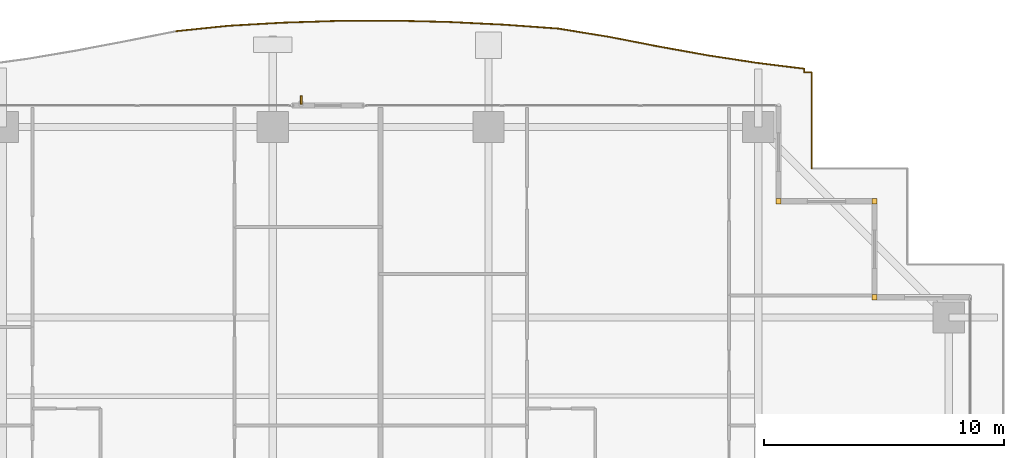
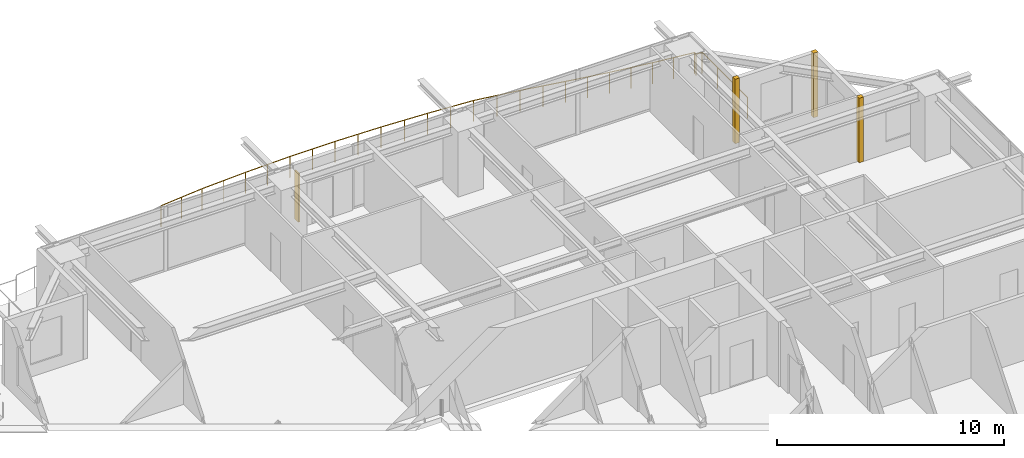
# One storey, part 39 of 39: 3 coverings, 2 railings, 1 shading device.
"""IFC4 building model written with IfcOpenShell, lengths in metres."""

from ifc_helpers import new_model, si_unit, direction, frame, origin, origin_2d, place, context, subcontext, project, spatial, rectangle, circle, extrude, source, transform, mapped, material, layer, layer_set, type_object, element, save


model = new_model("IFC4")

# Units and contexts
model_context = context("Model", 3, precision=1e-05, world=origin(), true_north=direction((0.0, 1.0)))
body_context = subcontext(model_context, "Body", "Model", "MODEL_VIEW")
ifc_project = project(units=[si_unit("LENGTHUNIT", "METRE"), si_unit("AREAUNIT", "SQUARE_METRE"), si_unit("VOLUMEUNIT", "CUBIC_METRE"), si_unit("PLANEANGLEUNIT", "RADIAN"), si_unit("MASSUNIT", "GRAM", prefix="KILO")], contexts=[model_context])

# Site, building, storey
site_placement = place(None, origin())
site = spatial("IfcSite", under=ifc_project, at=site_placement, CompositionType="ELEMENT")
building_placement = place(site_placement, origin())
building = spatial("IfcBuilding", under=site, at=building_placement, Name="Serunith Strait Residences", CompositionType="ELEMENT")
storey_placement = place(building_placement, frame((0.0, 0.0, 123.89990234375)))
storey = spatial("IfcBuildingStorey", under=building, at=storey_placement, Name="L30", CompositionType="ELEMENT", Elevation=123.89990234375)

# Railings
ifc_material_1 = material(Name="Stainless Steel & Laminated Glass Balustrade", Category="steel")
railing_type = type_object("IfcRailingType", Name="RLG-BALC-1150", PredefinedType="BALUSTRADE", material=ifc_material_1)
railing_1_placement = place(storey_placement, frame((23.8115234375, 52.095458984375, -0.0498046875)))
element("IfcRailing", 1, at=railing_1_placement, inside=storey, type_object=railing_type, Name="L30 Swirling Balcony Perimeter Balustrade 5", PredefinedType="BALUSTRADE", context=body_context, shape_type="SweptSolid", body=[
    extrude(circle(Radius=0.02392578125, at=origin_2d()), frame((0.001953125, 0.000244140625, 1.1259765625), z_axis=(0.99467753067, 0.103036935033, 0.0), x_axis=(-0.103036935033, 0.99467753067, 0.0)), (0.0, 0.0, 1.0), 2.232666015625),
    extrude(circle(Radius=0.02392578125, at=origin_2d()), frame((2.226806640625, 0.23046875, 1.1259765625), z_axis=(0.998367851723, 0.057110705176, 0.0), x_axis=(-0.057110705176, 0.998367851723, 0.0)), (0.0, 0.0, 1.0), 2.27880859375),
    extrude(circle(Radius=0.02392578125, at=origin_2d()), frame((4.505859375, 0.36083984375, 1.1259765625), z_axis=(0.999481873802, 0.032186704411, 0.0), x_axis=(-0.032186704411, 0.999481873802, 0.0)), (0.0, 0.0, 1.0), 2.302001953125),
    extrude(circle(Radius=0.02392578125, at=origin_2d()), frame((6.810546875, 0.43505859375, 1.1259765625), z_axis=(0.999990198423, 0.004427534085, 0.0), x_axis=(-0.004427534085, 0.999990198423, 0.0)), (0.0, 0.0, 1.0), 2.31201171875),
    extrude(circle(Radius=0.02392578125, at=origin_2d()), frame((9.12646484375, 0.4453125, 1.1259765625), z_axis=(0.999722625835, -0.023551462662, 0.0), x_axis=(0.023551462662, 0.999722625835, 0.0)), (0.0, 0.0, 1.0), 2.3076171875),
    extrude(circle(Radius=0.02392578125, at=origin_2d()), frame((11.4375, 0.390869140625, 1.1259765625), z_axis=(0.998774013121, -0.049502229386, 0.0), x_axis=(0.049502229386, 0.998774013121, 0.0)), (0.0, 0.0, 1.0), 2.289306640625),
    extrude(circle(Radius=0.02392578125, at=origin_2d()), frame((13.72802734375, 0.277099609375, 1.1259765625), z_axis=(0.997456509854, -0.071277703029, 0.0), x_axis=(0.071277703029, 0.997456509854, 0.0)), (0.0, 0.0, 1.0), 2.260009765625),
    extrude(circle(Radius=0.02392578125, at=origin_2d()), frame((15.986328125, 0.11572265625, 1.1259765625), z_axis=(0.987063095961, -0.160332294287, 0.0), x_axis=(0.160332294287, 0.987063095961, 0.0)), (0.0, 0.0, 1.0), 2.187255859375),
    extrude(circle(Radius=0.02099609375, at=origin_2d()), origin(), (0.0, 0.0, 1.0), 1.099853515625),
    extrude(circle(Radius=0.02099609375, at=origin_2d()), frame((1.1123046875, 0.115234375, 0.0)), (0.0, 0.0, 1.0), 1.099853515625),
    extrude(circle(Radius=0.02099609375, at=origin_2d()), frame((2.224853515625, 0.23046875, 0.0)), (0.0, 0.0, 1.0), 1.099853515625),
    extrude(circle(Radius=0.02099609375, at=origin_2d()), frame((3.3642578125, 0.295654296875, 0.0)), (0.0, 0.0, 1.0), 1.099853515625),
    extrude(circle(Radius=0.02099609375, at=origin_2d()), frame((4.50390625, 0.36083984375, 0.0)), (0.0, 0.0, 1.0), 1.099853515625),
    extrude(circle(Radius=0.02099609375, at=origin_2d()), frame((5.65625, 0.39794921875, 0.0)), (0.0, 0.0, 1.0), 1.099853515625),
    extrude(circle(Radius=0.02099609375, at=origin_2d()), frame((6.80859375, 0.43505859375, 0.0)), (0.0, 0.0, 1.0), 1.099853515625),
    extrude(circle(Radius=0.02099609375, at=origin_2d()), frame((7.966552734375, 0.440185546875, 0.0)), (0.0, 0.0, 1.0), 1.099853515625),
    extrude(circle(Radius=0.02099609375, at=origin_2d()), frame((9.12451171875, 0.4453125, 0.0)), (0.0, 0.0, 1.0), 1.099853515625),
    extrude(circle(Radius=0.02099609375, at=origin_2d()), frame((10.280029296875, 0.41796875, 0.0)), (0.0, 0.0, 1.0), 1.099853515625),
    extrude(circle(Radius=0.02099609375, at=origin_2d()), frame((11.435546875, 0.390869140625, 0.0)), (0.0, 0.0, 1.0), 1.099853515625),
    extrude(circle(Radius=0.02099609375, at=origin_2d()), frame((12.580810546875, 0.333984375, 0.0)), (0.0, 0.0, 1.0), 1.099853515625),
    extrude(circle(Radius=0.02099609375, at=origin_2d()), frame((13.72607421875, 0.27734375, 0.0)), (0.0, 0.0, 1.0), 1.099853515625),
    extrude(circle(Radius=0.02099609375, at=origin_2d()), frame((14.855224609375, 0.19677734375, 0.0)), (0.0, 0.0, 1.0), 1.099853515625),
    extrude(circle(Radius=0.02099609375, at=origin_2d()), frame((15.984375, 0.115966796875, 0.0)), (0.0, 0.0, 1.0), 1.099853515625),
    extrude(circle(Radius=0.02099609375, at=origin_2d()), frame((17.06591796875, -0.0595703125, 0.0)), (0.0, 0.0, 1.0), 1.099853515625),
    extrude(circle(Radius=0.02099609375, at=origin_2d()), frame((18.147216796875, -0.2353515625, 0.0)), (0.0, 0.0, 1.0), 1.099853515625),
])
railing_2_placement = place(storey_placement, frame((41.958740234375, 51.860107421875, -0.0498046875)))
element("IfcRailing", 2, at=railing_2_placement, inside=storey, type_object=railing_type, Name="L30 Swirling Balcony Perimeter Balustrade 6", PredefinedType="BALUSTRADE", context=body_context, shape_type="SweptSolid", body=[
    extrude(circle(Radius=0.02392578125, at=origin_2d()), frame((0.001953125, -0.00048828125, 1.1259765625), z_axis=(0.981413895602, -0.191903010708, 0.0), x_axis=(0.191903010708, 0.981413895602, 0.0)), (0.0, 0.0, 1.0), 2.1142578125),
    extrude(circle(Radius=0.02392578125, at=origin_2d()), frame((2.080810546875, -0.40673828125, 1.1259765625), z_axis=(0.984313357301, -0.176429064043, 0.0), x_axis=(0.176429064043, 0.984313357301, 0.0)), (0.0, 0.0, 1.0), 2.060546875),
    extrude(circle(Radius=0.02392578125, at=origin_2d()), frame((4.113037109375, -0.77099609375, 1.1259765625), z_axis=(0.988477178622, -0.151369968437, 0.0), x_axis=(0.151369968437, 0.988477178622, 0.0)), (0.0, 0.0, 1.0), 2.02490234375),
    extrude(circle(Radius=0.02392578125, at=origin_2d()), frame((6.11865234375, -1.078125, 1.1259765625), z_axis=(0.992356162125, -0.123406837297, 0.0), x_axis=(0.123406837297, 0.992356162125, 0.0)), (0.0, 0.0, 1.0), 2.006103515625),
    extrude(circle(Radius=0.02392578125, at=origin_2d()), frame((8.111328125, -1.327880859375, 1.1259765625), z_axis=(-0.007911144829, -0.999968706404, 0.0), x_axis=(0.999968706404, -0.007911144829, 0.0)), (0.0, 0.0, 1.0), 0.150390625),
    extrude(circle(Radius=0.02392578125, at=origin_2d()), frame((8.112060546875, -1.480224609375, 1.1259765625), z_axis=(1.0, 0.0, 0.0), x_axis=(0.0, 1.0, 0.0)), (0.0, 0.0, 1.0), 0.30712890625),
    extrude(circle(Radius=0.02392578125, at=origin_2d()), frame((8.421142578125, -1.482177734375, 1.1259765625), z_axis=(0.0, -1.0, 0.0), x_axis=(1.0, 0.0, 0.0)), (0.0, 0.0, 1.0), 3.99609375),
    extrude(circle(Radius=0.02099609375, at=origin_2d()), origin(), (0.0, 0.0, 1.0), 1.099853515625),
    extrude(circle(Radius=0.02099609375, at=origin_2d()), frame((1.03955078125, -0.203125, 0.0)), (0.0, 0.0, 1.0), 1.099853515625),
    extrude(circle(Radius=0.02099609375, at=origin_2d()), frame((2.078857421875, -0.406494140625, 0.0)), (0.0, 0.0, 1.0), 1.099853515625),
    extrude(circle(Radius=0.02099609375, at=origin_2d()), frame((3.094970703125, -0.588623046875, 0.0)), (0.0, 0.0, 1.0), 1.099853515625),
    extrude(circle(Radius=0.02099609375, at=origin_2d()), frame((4.111083984375, -0.770751953125, 0.0)), (0.0, 0.0, 1.0), 1.099853515625),
    extrude(circle(Radius=0.02099609375, at=origin_2d()), frame((5.11376953125, -0.92431640625, 0.0)), (0.0, 0.0, 1.0), 1.099853515625),
    extrude(circle(Radius=0.02099609375, at=origin_2d()), frame((6.11669921875, -1.077880859375, 0.0)), (0.0, 0.0, 1.0), 1.099853515625),
    extrude(circle(Radius=0.02099609375, at=origin_2d()), frame((7.114013671875, -1.201904296875, 0.0)), (0.0, 0.0, 1.0), 1.099853515625),
    extrude(circle(Radius=0.02099609375, at=origin_2d()), frame((8.111328125, -1.325927734375, 0.0)), (0.0, 0.0, 1.0), 1.099853515625),
    extrude(circle(Radius=0.02099609375, at=origin_2d()), frame((8.110107421875, -1.480224609375, 0.0)), (0.0, 0.0, 1.0), 1.099853515625),
    extrude(circle(Radius=0.02099609375, at=origin_2d()), frame((8.421142578125, -1.480224609375, 0.0)), (0.0, 0.0, 1.0), 1.099853515625),
    extrude(circle(Radius=0.02099609375, at=origin_2d()), frame((8.421142578125, -2.8134765625, 0.0)), (0.0, 0.0, 1.0), 1.099853515625),
    extrude(circle(Radius=0.02099609375, at=origin_2d()), frame((8.421142578125, -4.14697265625, 0.0)), (0.0, 0.0, 1.0), 1.099853515625),
    extrude(circle(Radius=0.02099609375, at=origin_2d()), frame((8.421142578125, -5.480224609375, 0.0)), (0.0, 0.0, 1.0), 1.099853515625),
])

# Coverings
ifc_material_2 = material(Name="Pale-Champagne Anodised Aluminium", Category="aluminium")
ifc_layer = layer(ifc_material_2, 0.219970703125, Name="Pale-Champagne Anodised Aluminium")
ifc_layer_set = layer_set([ifc_layer], Name="Pale-Champagne Anodised Aluminium")
covering_type = type_object("IfcCoveringType", Name="COV-CORN-TRIM", PredefinedType="CLADDING", material=ifc_layer_set)
shared_shape_1 = source(origin(), body_context, "Body", "SweptSolid", [
    extrude(rectangle(XDim=0.221923828125, YDim=0.221923828125, at=origin_2d()), origin(), (0.0, 0.0, 1.0), 3.47509765625),
])
for number, where, z_axis, x_axis, name in (
    (3, (53.0, 41.0, 0.0), (0.0, 0.0, 1.0), (1.0, 0.0, 0.0), "L30 Girih Serrated Corner Trim Post 07"),
    (4, (53.0, 45.0, 0.0), (0.0, 0.0, 1.0), (1.0, 0.0, 0.0), "L30 Girih Serrated Corner Trim Post 08"),
    (5, (49.0, 45.0, 0.0), (0.0, 0.0, 1.0), (1.0, 0.0, 0.0), "L30 Girih Serrated Corner Trim Post 09"),
):
    element("IfcCovering", number, at=place(storey_placement, frame(where, z_axis=z_axis, x_axis=x_axis)), inside=storey, type_object=covering_type, Name=name, PredefinedType="CLADDING", context=body_context, shape_type="MappedRepresentation", body=[
        mapped(shared_shape_1, transform((0.0, 0.0, 0.0), scale=1.0)),
    ])

# Shading device
ifc_material_3 = material(Name="Pale-Champagne Perforated Aluminium Fin", Category="aluminium")
shading_device_type = type_object("IfcShadingDeviceType", Name="SHD-DIAG-FIN", PredefinedType="AWNING", material=ifc_material_3)
shared_shape_2 = source(origin(), body_context, "Body", "SweptSolid", [
    extrude(rectangle(XDim=0.080078125, YDim=0.35009765625, at=origin_2d()), origin(), (0.0, 0.0, 1.0), 2.60009765625),
])
shading_device_placement = place(storey_placement, frame((29.080078125, 49.219970703125, 0.199951171875), z_axis=(0.0, 0.0, 1.0), x_axis=(1.0, 0.0, 0.0)))
element("IfcShadingDevice", 6, at=shading_device_placement, inside=storey, type_object=shading_device_type, Name="L30 Diagonal Rhythm Solar Fin N", PredefinedType="AWNING", context=body_context, shape_type="MappedRepresentation", body=[
    mapped(shared_shape_2, transform((0.0, 0.0, 0.0), scale=1.0)),
])

save(model, "model.ifc")
